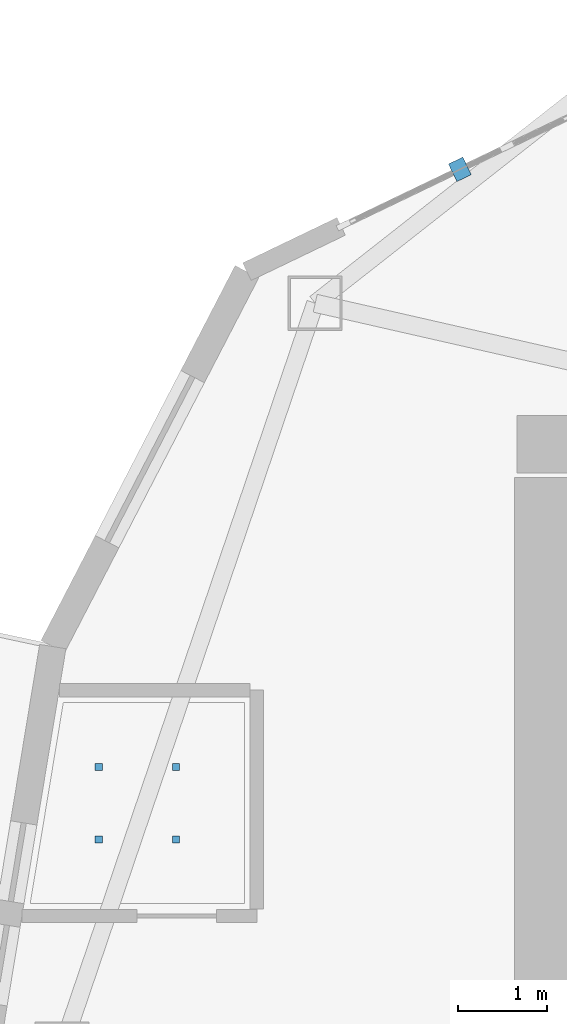
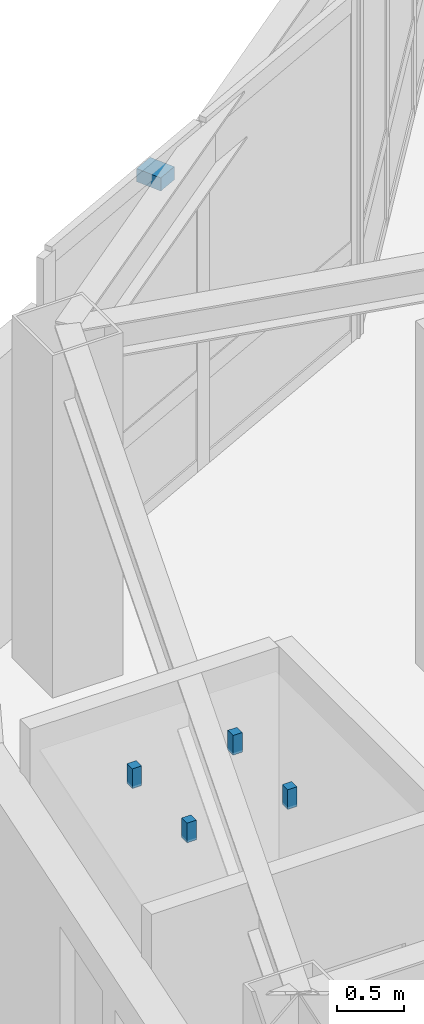
# One storey, part 14 of 19: 5 discrete accessories.
"""IFC4 building model written with IfcOpenShell, lengths in metres."""

from ifc_helpers import new_model, si_unit, direction, frame, origin, origin_2d, place, context, subcontext, project, spatial, rectangle, extrude, material, type_object, element, save


model = new_model("IFC4")

# Units and contexts
model_context = context("Model", 3, precision=1e-05, world=origin(), true_north=direction((0.0, 1.0)))
body_context = subcontext(model_context, "Body", "Model", "MODEL_VIEW")
ifc_project = project(units=[si_unit("LENGTHUNIT", "METRE"), si_unit("AREAUNIT", "SQUARE_METRE"), si_unit("VOLUMEUNIT", "CUBIC_METRE"), si_unit("PLANEANGLEUNIT", "RADIAN"), si_unit("MASSUNIT", "GRAM", prefix="KILO")], contexts=[model_context])

# Site, building, storey
site_placement = place(None, origin())
site = spatial("IfcSite", under=ifc_project, at=site_placement, CompositionType="ELEMENT")
building_placement = place(site_placement, origin())
building = spatial("IfcBuilding", under=site, at=building_placement, Name="Kolvaren Gate Tower and Convention Centre", CompositionType="ELEMENT")
storey_placement = place(building_placement, frame((0.0, 0.0, 163.10009765625)))
storey = spatial("IfcBuildingStorey", under=building, at=storey_placement, Name="L42", CompositionType="ELEMENT", Elevation=163.10009765625)

# Discrete accessories
ifc_material_1 = material(Name="Anodized Architectural Aluminium Alloy 6063-T6", Category="aluminium")
discrete_accessory_type_1 = type_object("IfcDiscreteAccessoryType", Name="ARCH-ACC-BRACKET-120", PredefinedType="BRACKET", material=ifc_material_1)
discrete_accessory_placement = place(storey_placement, frame((13.531494140625, 36.930419921875, 2.949951171875), z_axis=(0.0, 0.0, 1.0), x_axis=(0.901358389955, 0.433073957723, 0.0)))
element("IfcDiscreteAccessory", 1, at=discrete_accessory_placement, inside=storey, type_object=discrete_accessory_type_1, Name="Solar Screen Spandrel Anchor Bracket BK-L42-09", PredefinedType="BRACKET", context=body_context, shape_type="SweptSolid", body=[
    extrude(rectangle(XDim=0.179931640625, YDim=0.219970703125, at=origin_2d()), origin(), (0.0, 0.0, 1.0), 0.1201171875),
])
ifc_material_2 = material(Name="Brushed Stainless Steel Grade 316L", Category="steel")
discrete_accessory_type_2 = type_object("IfcDiscreteAccessoryType", Name="ARCH-ACC-HANGER-80", PredefinedType="BRACKET", material=ifc_material_2)
for number, where, z_axis, x_axis, name in (
    (2, (9.4541015625, 29.365966796875, 2.94970703125), (0.0, 0.0, 1.0), (1.0, 0.0, 0.0), "En-suite Bathroom (HTL-L42-14) Ceiling Suspension Hanger Clip 1"),
    (3, (10.324951171875, 29.365966796875, 2.94970703125), (0.0, 0.0, 1.0), (1.0, 0.0, 0.0), "En-suite Bathroom (HTL-L42-14) Ceiling Suspension Hanger Clip 2"),
    (4, (9.4541015625, 30.18408203125, 2.94970703125), (0.0, 0.0, 1.0), (1.0, 0.0, 0.0), "En-suite Bathroom (HTL-L42-14) Ceiling Suspension Hanger Clip 3"),
    (5, (10.324951171875, 30.18408203125, 2.94970703125), (0.0, 0.0, 1.0), (1.0, 0.0, 0.0), "En-suite Bathroom (HTL-L42-14) Ceiling Suspension Hanger Clip 4"),
):
    element("IfcDiscreteAccessory", number, at=place(storey_placement, frame(where, z_axis=z_axis, x_axis=x_axis)), inside=storey, type_object=discrete_accessory_type_2, Name=name, PredefinedType="BRACKET", context=body_context, shape_type="SweptSolid", body=[
        extrude(rectangle(XDim=0.080078125, YDim=0.080078125, at=origin_2d()), origin(), (0.0, 0.0, 1.0), 0.179931640625),
    ])

save(model, "model.ifc")
